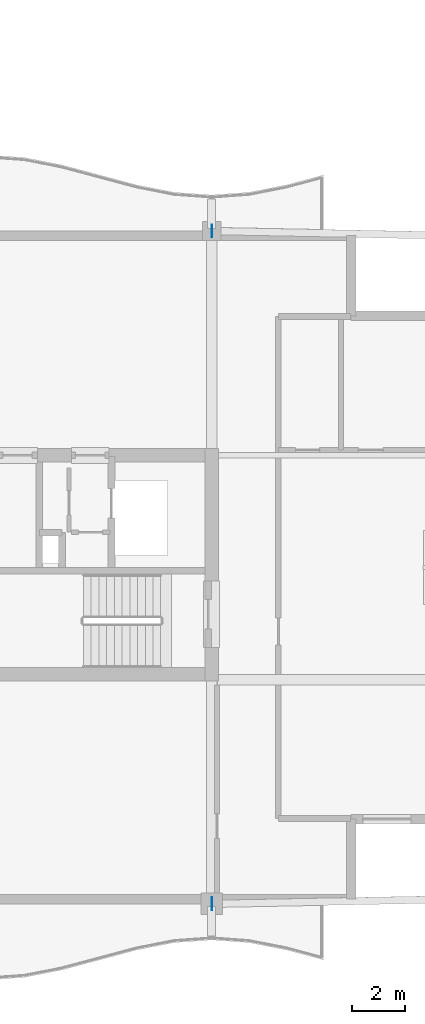
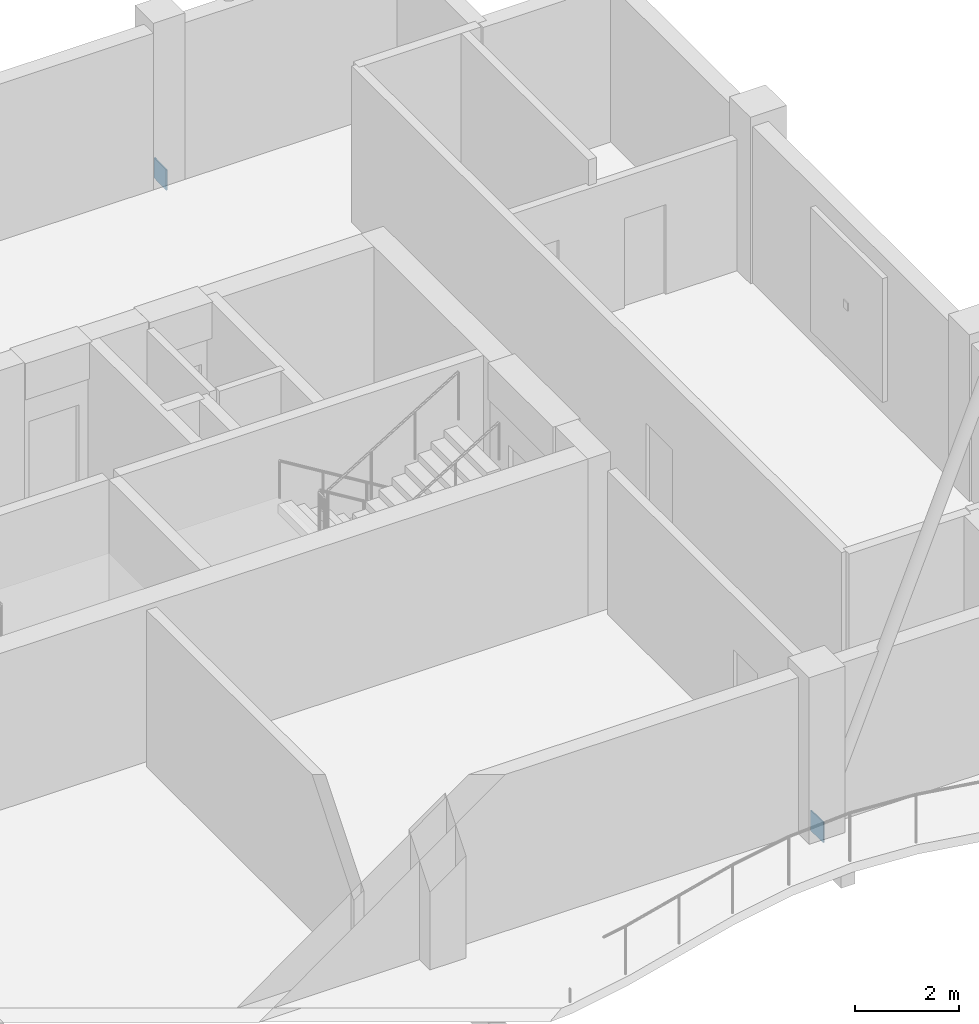
# One storey, part 6 of 17: 2 plates.
"""IFC4 building model written with IfcOpenShell, lengths in metres."""

import ifcopenshell
import ifcopenshell.guid

model = None  # the IFC model being written
_history = None  # IfcOwnerHistory: only IFC2X3 demands one
_inside = {}  # id of a spatial element -> (the spatial element, [elements in it])
_under = {}  # id of a project, library or spatial element -> (it, [spatial elements below it])
_declared = {}  # id of a project -> (the project, [libraries it declares])
_typed = {}  # id of a type object -> (the type object, [elements of that type])
_made_of = {}  # id of a material, layer set ... -> (it, [elements and type objects made of it])


def new_model(schema):
    """Start an empty IFC model of exactly this schema.

    Asked for "IFC4X3", IfcOpenShell would pick the latest addendum, in which some entities
    have other attributes; the version numbers below select the first issue.
    IFC2X3 requires an IfcOwnerHistory on every rooted entity: one is made here for all.
    """
    global model, _history
    if schema == "IFC4X3":
        model = ifcopenshell.file(schema_version=(4, 3, 0, 0))
    else:
        model = ifcopenshell.file(schema=schema)
    _inside.clear()
    _under.clear()
    _declared.clear()
    _typed.clear()
    _made_of.clear()
    _history = None
    if model.schema == "IFC2X3":
        org = make("IfcOrganization", Name="unknown")
        user = make(
            "IfcPersonAndOrganization",
            ThePerson=make("IfcPerson", FamilyName="unknown"),
            TheOrganization=org,
        )
        app = make(
            "IfcApplication",
            ApplicationDeveloper=org,
            Version="unknown",
            ApplicationFullName="unknown",
            ApplicationIdentifier="unknown",
        )
        _history = make(
            "IfcOwnerHistory",
            OwningUser=user,
            OwningApplication=app,
            ChangeAction="ADDED",
            CreationDate=0,
        )
    return model


def make(cls, **values):
    """One entity of the class cls with the attributes given. An attribute that is None is left unset."""
    return model.create_entity(
        cls, **{name: value for name, value in values.items() if value is not None}
    )


def rooted(cls, **values):
    """An entity with a GlobalId (a new one), such as an element, a storey or a relation."""
    return make(cls, GlobalId=ifcopenshell.guid.new(), OwnerHistory=_history, **values)


def si_unit(unit_type, name, prefix=None):
    """IfcSIUnit, for example si_unit("LENGTHUNIT", "METRE", prefix="MILLI")."""
    return make("IfcSIUnit", UnitType=unit_type, Prefix=prefix, Name=name)


def assignment(units):
    """IfcUnitAssignment: the units of a project."""
    return None if units is None else make("IfcUnitAssignment", Units=units)


def point(xyz):
    """IfcCartesianPoint."""
    return None if xyz is None else make("IfcCartesianPoint", Coordinates=xyz)


def direction(xyz):
    """IfcDirection."""
    return None if xyz is None else make("IfcDirection", DirectionRatios=xyz)


def frame(location, z_axis=None, x_axis=None):
    """IfcAxis2Placement3D, a coordinate frame: its origin and axes. An axis left out is left unset."""
    return make(
        "IfcAxis2Placement3D",
        Location=point(location),
        Axis=direction(z_axis),
        RefDirection=direction(x_axis),
    )


def frame_2d(location, x_axis=None):
    """IfcAxis2Placement2D, a coordinate frame in the plane: its origin and x axis."""
    return make(
        "IfcAxis2Placement2D", Location=point(location), RefDirection=direction(x_axis)
    )


def origin():
    """The frame at (0, 0, 0) with its axes left unset."""
    return frame((0.0, 0.0, 0.0))


def origin_2d():
    """The frame at (0, 0) in the plane with its x axis left unset."""
    return frame_2d((0.0, 0.0))


def place(relative_to, where):
    """IfcLocalPlacement: puts the frame where relative to a parent placement (None: the world)."""
    return make(
        "IfcLocalPlacement", PlacementRelTo=relative_to, RelativePlacement=where
    )


def context(
    kind, dimensions, precision=None, world=None, true_north=None, identifier=None
):
    """IfcGeometricRepresentationContext, for example the 3D "Model" context."""
    return make(
        "IfcGeometricRepresentationContext",
        ContextIdentifier=identifier,
        ContextType=kind,
        CoordinateSpaceDimension=dimensions,
        Precision=precision,
        WorldCoordinateSystem=world,
        TrueNorth=true_north,
    )


def subcontext(parent, identifier, kind, view, scale=None):
    """IfcGeometricRepresentationSubContext, for example "Body" below "Model"."""
    return make(
        "IfcGeometricRepresentationSubContext",
        ContextIdentifier=identifier,
        ContextType=kind,
        ParentContext=parent,
        TargetScale=scale,
        TargetView=view,
    )


def project(units=None, contexts=None):
    """IfcProject with its units and contexts."""
    return rooted(
        "IfcProject",
        Name="project",
        RepresentationContexts=contexts,
        UnitsInContext=assignment(units),
    )


def spatial(cls, under=None, at=None, **own):
    """A site, building, storey or space (cls), placed at a placement, below another one or the project."""
    s = rooted(cls, ObjectPlacement=at, **own)
    if under is not None:
        _under.setdefault(under.id(), (under, []))[1].append(s)
    return s


def profile(cls, at=None, kind="AREA", **sizes):
    """A parametric profile (cls). Its sizes go by their IFC names, for example OverallWidth=200.0."""
    return make(cls, ProfileType=kind, Position=at, **sizes)


def rectangle(**sizes):
    """IfcRectangleProfileDef."""
    return profile("IfcRectangleProfileDef", **sizes)


def extrude(swept, where, along, depth):
    """IfcExtrudedAreaSolid: the profile swept, set in the frame where, extruded along a direction by depth."""
    return make(
        "IfcExtrudedAreaSolid",
        SweptArea=swept,
        Position=where,
        ExtrudedDirection=direction(along),
        Depth=depth,
    )


def shape(context_of_items, identifier, shape_type, items):
    """IfcShapeRepresentation: the items that make up one representation, for example the "Body"."""
    return make(
        "IfcShapeRepresentation",
        ContextOfItems=context_of_items,
        RepresentationIdentifier=identifier,
        RepresentationType=shape_type,
        Items=items,
    )


def material(Name=None, Category=None):
    """IfcMaterial."""
    return make("IfcMaterial", Name=Name, Category=Category)


def layer(
    of_material, thickness, ventilated=None, Name=None, Category=None, Priority=None
):
    """IfcMaterialLayer: one layer of a wall or slab, of a material (None: an air gap)."""
    return make(
        "IfcMaterialLayer",
        Material=of_material,
        LayerThickness=thickness,
        IsVentilated=ventilated,
        Name=Name,
        Category=Category,
        Priority=Priority,
    )


def layer_set(layers, Name=None):
    """IfcMaterialLayerSet."""
    return make("IfcMaterialLayerSet", MaterialLayers=layers, LayerSetName=Name)


def made_of(thing, what):
    """Note that an element or type object is made of a material, layer set ...; save() writes the relation."""
    if what is not None:
        _made_of.setdefault(what.id(), (what, []))[1].append(thing)
    return thing


def type_object(cls, material=None, **own):
    """A type object (cls), such as IfcWallType, which elements share."""
    return made_of(rooted(cls, **own), material)


def element(
    cls,
    number,
    at=None,
    inside=None,
    cuts=None,
    type_object=None,
    material=None,
    context=None,
    identifier="Body",
    shape_type=None,
    held_by="IfcProductDefinitionShape",
    body=None,
    shapes=None,
    **own,
):
    """One element of the class cls, such as IfcWall. Its Tag is "e" and its number.

    at: its placement. inside: the storey or other place that contains it. cuts: it is an
    opening in that element (IfcRelVoidsElement). A single representation is given by context,
    identifier, shape_type and body (its items); several are given by shapes. held_by: the class
    of the entity that holds the representations. save() writes the other relations.
    """
    e = rooted(cls, Tag="e%d" % number, ObjectPlacement=at, **own)
    if body is not None:
        shapes = [shape(context, identifier, shape_type, body)]
    if shapes is not None:
        e.Representation = make(held_by, Representations=shapes)
    if inside is not None:
        _inside.setdefault(inside.id(), (inside, []))[1].append(e)
    if cuts is not None:
        rooted(
            "IfcRelVoidsElement", RelatingBuildingElement=cuts, RelatedOpeningElement=e
        )
    if type_object is not None:
        _typed.setdefault(type_object.id(), (type_object, []))[1].append(e)
    return made_of(e, material)


def aggregate(whole, parts):
    """IfcRelAggregates: a whole, such as a stair, and the parts it consists of."""
    return rooted("IfcRelAggregates", RelatingObject=whole, RelatedObjects=parts)


def save(model, path):
    """Write the relations noted so far, then the file.

    IfcRelAggregates (storeys below a building ...), IfcRelContainedInSpatialStructure (elements
    in a storey), IfcRelDefinesByType, IfcRelAssociatesMaterial and IfcRelDeclares: one each for
    every whole, place, type object, material and project.
    """
    for whole, parts in _under.values():
        aggregate(whole, parts)
    for where, things in _inside.values():
        rooted(
            "IfcRelContainedInSpatialStructure",
            RelatedElements=things,
            RelatingStructure=where,
        )
    for kind, things in _typed.values():
        rooted("IfcRelDefinesByType", RelatedObjects=things, RelatingType=kind)
    for what, things in _made_of.values():
        rooted("IfcRelAssociatesMaterial", RelatedObjects=things, RelatingMaterial=what)
    for by, libraries in _declared.values():
        rooted("IfcRelDeclares", RelatingContext=by, RelatedDefinitions=libraries)
    model.write(path)


model = new_model("IFC4")

# Units and contexts
model_context = context("Model", 3, precision=1e-05, world=origin(), true_north=direction((0.0, 1.0)))
body_context = subcontext(model_context, "Body", "Model", "MODEL_VIEW")
ifc_project = project(units=[si_unit("LENGTHUNIT", "METRE"), si_unit("AREAUNIT", "SQUARE_METRE"), si_unit("VOLUMEUNIT", "CUBIC_METRE"), si_unit("PLANEANGLEUNIT", "RADIAN"), si_unit("MASSUNIT", "GRAM", prefix="KILO")], contexts=[model_context])

# Site, building, storey
site_placement = place(None, origin())
site = spatial("IfcSite", under=ifc_project, at=site_placement, CompositionType="ELEMENT")
building_placement = place(site_placement, origin())
building = spatial("IfcBuilding", under=site, at=building_placement, Name="Koriwani Terraces Tower", CompositionType="ELEMENT")
storey_placement = place(building_placement, frame((0.0, 0.0, 332.0)))
storey = spatial("IfcBuildingStorey", under=building, at=storey_placement, Name="L82", CompositionType="ELEMENT", Elevation=332.0)

# Plates
ifc_material = material(Name="Steel ASTM A572 Grade 50", Category="steel")
ifc_layer = layer(ifc_material, 0.02490234375, Name="Steel ASTM A572 Grade 50")
ifc_layer_set = layer_set([ifc_layer], Name="Steel ASTM A572 Grade 50")
plate_type = type_object("IfcPlateType", Name="STEEL_CAP_PLATE_25", PredefinedType="USERDEFINED", material=ifc_layer_set)
for number, where, z_axis, x_axis, name in (
    (1, (58.815185546875, 8.400390625, -0.202880859375), (0.0, 0.0, 1.0), (0.999808950038, 0.019546442745, 0.0), "Brace End Cap Plate SKYC-RK-3"),
    (2, (58.815185546875, 33.599609375, -0.202880859375), (0.0, 0.0, 1.0), (0.999808950038, -0.019546442745, 0.0), "Brace End Cap Plate SKYC-RK-4"),
):
    element("IfcPlate", number, at=place(storey_placement, frame(where, z_axis=z_axis, x_axis=x_axis)), inside=storey, type_object=plate_type, Name=name, ObjectType="FLANGE_PLATE", PredefinedType="USERDEFINED", context=body_context, shape_type="SweptSolid", body=[
        extrude(rectangle(XDim=0.02490234375, YDim=0.47998046875, at=origin_2d()), origin(), (0.0, 0.0, 1.0), 0.47998046875),
    ])

save(model, "model.ifc")
